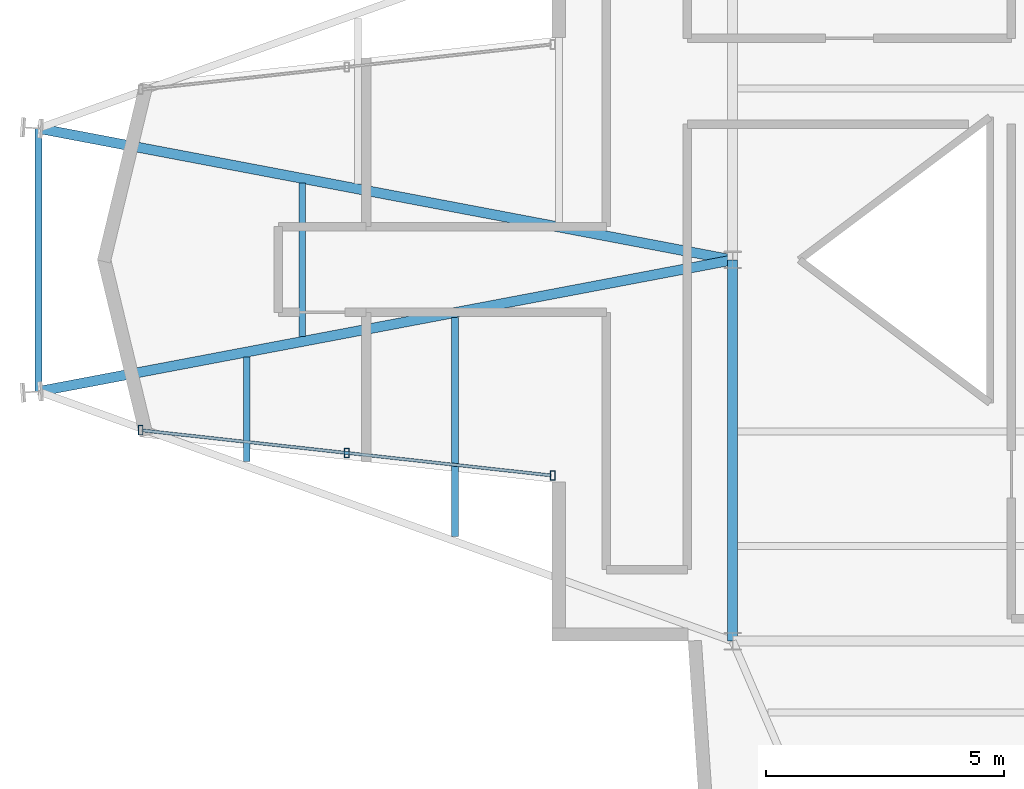
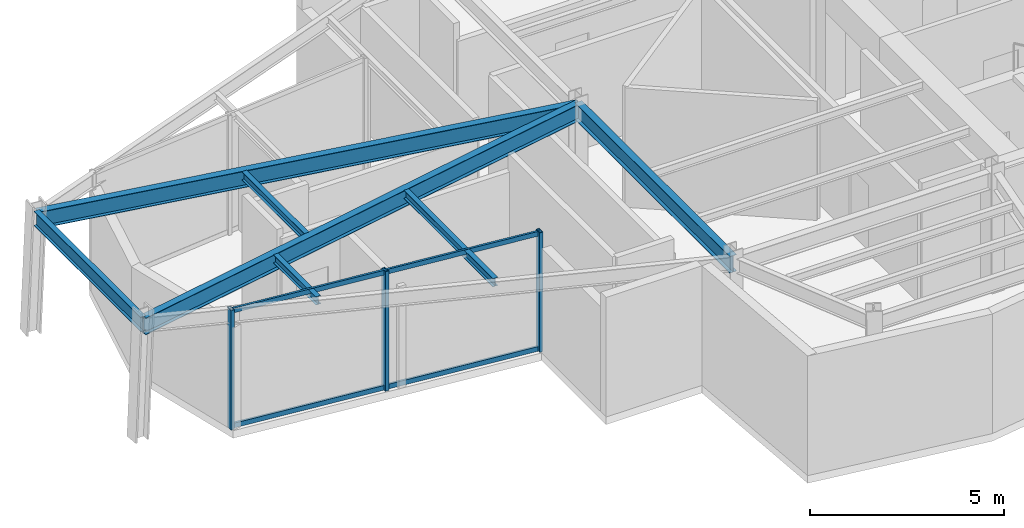
# One storey, part 2 of 11: 7 beams, 5 members, 1 element without a shape of its own.
"""IFC4 building model written with IfcOpenShell, lengths in metres."""

from ifc_helpers import new_model, si_unit, direction, frame, origin, origin_2d, place, context, subcontext, project, spatial, hollow_rectangle, i_section, extrude, material, layer, layer_set, material_profile, profile_set, type_object, element, aggregate, save


model = new_model("IFC4")

# Units and contexts
model_context = context("Model", 3, precision=1e-05, world=origin(), true_north=direction((0.0, 1.0)))
body_context = subcontext(model_context, "Body", "Model", "MODEL_VIEW")
ifc_project = project(units=[si_unit("LENGTHUNIT", "METRE"), si_unit("AREAUNIT", "SQUARE_METRE"), si_unit("VOLUMEUNIT", "CUBIC_METRE"), si_unit("PLANEANGLEUNIT", "RADIAN"), si_unit("MASSUNIT", "GRAM", prefix="KILO")], contexts=[model_context])

# Site, building, storey
site_placement = place(None, origin())
site = spatial("IfcSite", under=ifc_project, at=site_placement, CompositionType="ELEMENT")
building_placement = place(site_placement, origin())
building = spatial("IfcBuilding", under=site, at=building_placement, Name="Veymaron Broadcast Tower", CompositionType="ELEMENT")
storey_placement = place(building_placement, frame((0.0, 0.0, 323.550048828125)))
storey = spatial("IfcBuildingStorey", under=building, at=storey_placement, Name="L76", CompositionType="ELEMENT", Elevation=323.550048828125)

# Beams
ifc_material_1 = material(Name="Structural steel ASTM A992 Gr 50", Category="steel")
ifc_material_profile_1 = material_profile(ifc_material_1, i_section(OverallWidth=0.208984375, OverallDepth=0.528076171875, WebThickness=0.009521484375, FlangeThickness=0.01318359375, at=origin_2d()), Name="W530X82")
ifc_profile_set_1 = profile_set([ifc_material_profile_1], Name="Structural steel ASTM A992 Gr 50")
beam_type_1 = type_object("IfcBeamType", Name="BM-FG4", PredefinedType="BEAM", material=ifc_profile_set_1)
beam_1_placement = place(storey_placement, frame((31.199951171875, 16.0, 3.505859375), z_axis=(0.0, 1.0, 0.0), x_axis=(-1.0, 0.0, 0.0)))
element("IfcBeam", 1, at=beam_1_placement, inside=storey, type_object=beam_type_1, Name="L76 primary structural floor girder", PredefinedType="BEAM", context=body_context, shape_type="SweptSolid", body=[
    extrude(i_section(OverallWidth=0.208984375, OverallDepth=0.528076171875, WebThickness=0.009521484375, FlangeThickness=0.01318359375, at=origin_2d()), origin(), (0.0, 0.0, 1.0), 8.0),
])
for number, where, z_axis, x_axis, name in (
    (2, (16.632080078125, 21.239990234375, 3.505859375), (0.982521848136, 0.186147301712, 0.0), (-0.186147301712, 0.982521848136, 0.0), "L76 primary structural floor girder"),
    (3, (16.632080078125, 26.760009765625, 3.505859375), (0.982521848136, -0.186147301712, 0.0), (0.186147301712, 0.982521848136, 0.0), "L76 primary structural floor girder"),
):
    element("IfcBeam", number, at=place(storey_placement, frame(where, z_axis=z_axis, x_axis=x_axis)), inside=storey, type_object=beam_type_1, Name=name, PredefinedType="BEAM", context=body_context, shape_type="SweptSolid", body=[
        extrude(i_section(OverallWidth=0.208984375, OverallDepth=0.528076171875, WebThickness=0.009521484375, FlangeThickness=0.01318359375, at=origin_2d()), origin(), (0.0, 0.0, 1.0), 14.826904296875),
    ])
ifc_material_profile_2 = material_profile(ifc_material_1, i_section(OverallWidth=0.14599609375, OverallDepth=0.258056640625, WebThickness=0.006103515625, FlangeThickness=0.009033203125, at=origin_2d()), Name="W250X33")
ifc_profile_set_2 = profile_set([ifc_material_profile_2], Name="Structural steel ASTM A992 Gr 50")
beam_type_2 = type_object("IfcBeamType", Name="BM-JS4", PredefinedType="JOIST", material=ifc_profile_set_2)
beam_2_placement = place(storey_placement, frame((21.00244140625, 19.76806640625, 3.640869140625), z_axis=(0.0, 1.0, 0.0), x_axis=(-1.0, 0.0, 0.0)))
element("IfcBeam", 4, at=beam_2_placement, inside=storey, type_object=beam_type_2, Name="L76 Arm-A secondary joist 1S", PredefinedType="JOIST", context=body_context, shape_type="SweptSolid", body=[
    extrude(i_section(OverallWidth=0.14599609375, OverallDepth=0.258056640625, WebThickness=0.006103515625, FlangeThickness=0.009033203125, at=origin_2d()), origin(), (0.0, 0.0, 1.0), 2.199951171875),
])
beam_3_placement = place(storey_placement, frame((22.167724609375, 22.388916015625, 3.640869140625), z_axis=(0.0, 1.0, 0.0), x_axis=(-1.0, 0.0, 0.0)))
element("IfcBeam", 5, at=beam_3_placement, inside=storey, type_object=beam_type_2, Name="L76 Arm-A secondary joist 1M", PredefinedType="JOIST", context=body_context, shape_type="SweptSolid", body=[
    extrude(i_section(OverallWidth=0.14599609375, OverallDepth=0.258056640625, WebThickness=0.006103515625, FlangeThickness=0.009033203125, at=origin_2d()), origin(), (0.0, 0.0, 1.0), 3.22216796875),
])
beam_4_placement = place(storey_placement, frame((25.372802734375, 18.196044921875, 3.640869140625), z_axis=(0.0, 1.0, 0.0), x_axis=(-1.0, 0.0, 0.0)))
element("IfcBeam", 6, at=beam_4_placement, inside=storey, type_object=beam_type_2, Name="L76 Arm-A secondary joist 2S", PredefinedType="JOIST", context=body_context, shape_type="SweptSolid", body=[
    extrude(i_section(OverallWidth=0.14599609375, OverallDepth=0.258056640625, WebThickness=0.006103515625, FlangeThickness=0.009033203125, at=origin_2d()), origin(), (0.0, 0.0, 1.0), 4.599853515625),
])
ifc_material_profile_3 = material_profile(ifc_material_1, i_section(OverallWidth=0.154052734375, OverallDepth=0.458984375, WebThickness=0.009033203125, FlangeThickness=0.015380859375, at=origin_2d()), Name="W460X68")
ifc_profile_set_3 = profile_set([ifc_material_profile_3], Name="Structural steel ASTM A992 Gr 50")
beam_type_3 = type_object("IfcBeamType", Name="BM-SP2", PredefinedType="SPANDREL", material=ifc_profile_set_3)
beam_5_placement = place(storey_placement, frame((16.632080078125, 21.239990234375, 3.54052734375), z_axis=(0.0, 1.0, 0.0), x_axis=(-1.0, 0.0, 0.0)))
element("IfcBeam", 7, at=beam_5_placement, inside=storey, type_object=beam_type_3, Name="L76 primary structural floor girder", PredefinedType="SPANDREL", context=body_context, shape_type="SweptSolid", body=[
    extrude(i_section(OverallWidth=0.154052734375, OverallDepth=0.458984375, WebThickness=0.009033203125, FlangeThickness=0.015380859375, at=origin_2d()), origin(), (0.0, 0.0, 1.0), 5.52001953125),
])

# Curtain wall, members
ifc_material_2 = material(Name="Anodised aluminium AA 6063-T6 and laminated low-E dark glass", Category="aluminium")
ifc_layer = layer(ifc_material_2, 0.179931640625)
ifc_layer_set = layer_set([ifc_layer], Name="Anodised aluminium AA 6063-T6 and laminated low-E dark glass")
curtain_wall_type = type_object("IfcCurtainWallType", Name="CW-SYS-06", PredefinedType="NOTDEFINED", material=ifc_layer_set)
curtain_wall_placement = place(storey_placement, origin())
curtain_wall = element("IfcCurtainWall", 8, at=curtain_wall_placement, inside=storey, type_object=curtain_wall_type, Name="L76 dark-glass curtain wall CW-L76-E14-1", PredefinedType="NOTDEFINED")
ifc_material_3 = material(Name="Anodised aluminium AA 6063-T6", Category="aluminium")
ifc_material_profile_4 = material_profile(ifc_material_3, hollow_rectangle(XDim=0.10009765625, YDim=0.199951171875, WallThickness=0.010009765625, at=origin_2d()), Name="RHS200X100X10")
ifc_profile_set_4 = profile_set([ifc_material_profile_4], Name="Anodised aluminium AA 6063-T6")
member_type_1 = type_object("IfcMemberType", Name="CW-MUL-01", PredefinedType="MULLION", material=ifc_profile_set_4)
member_1_placement = place(storey_placement, frame((18.775390625, 20.4267578125, 0.0), z_axis=(0.0, 0.0, 1.0), x_axis=(1.0, 0.0, 0.0)))
member_1 = element("IfcMember", 9, at=member_1_placement, type_object=member_type_1, Name="CW-L76-E14-1 mullion 0", PredefinedType="MULLION", context=body_context, shape_type="SweptSolid", body=[
    extrude(hollow_rectangle(XDim=0.10009765625, YDim=0.199951171875, WallThickness=0.010009765625, at=origin_2d()), origin(), (0.0, 0.0, 1.0), 3.77001953125),
])
member_2_placement = place(storey_placement, frame((23.10009765625, 19.95068359375, 0.0), z_axis=(0.0, 0.0, 1.0), x_axis=(1.0, 0.0, 0.0)))
member_2 = element("IfcMember", 10, at=member_2_placement, type_object=member_type_1, Name="CW-L76-E14-1 mullion 1", PredefinedType="MULLION", context=body_context, shape_type="SweptSolid", body=[
    extrude(hollow_rectangle(XDim=0.10009765625, YDim=0.199951171875, WallThickness=0.010009765625, at=origin_2d()), origin(), (0.0, 0.0, 1.0), 3.77001953125),
])
member_3_placement = place(storey_placement, frame((27.4248046875, 19.474609375, 0.0), z_axis=(0.0, 0.0, 1.0), x_axis=(1.0, 0.0, 0.0)))
member_3 = element("IfcMember", 11, at=member_3_placement, type_object=member_type_1, Name="CW-L76-E14-1 mullion 2", PredefinedType="MULLION", context=body_context, shape_type="SweptSolid", body=[
    extrude(hollow_rectangle(XDim=0.10009765625, YDim=0.199951171875, WallThickness=0.010009765625, at=origin_2d()), origin(), (0.0, 0.0, 1.0), 3.77001953125),
])
ifc_material_profile_5 = material_profile(ifc_material_3, hollow_rectangle(XDim=0.06494140625, YDim=0.14990234375, WallThickness=0.00390625, at=origin_2d()), Name="AL150X65X4")
ifc_profile_set_5 = profile_set([ifc_material_profile_5], Name="Anodised aluminium AA 6063-T6")
member_type_2 = type_object("IfcMemberType", Name="CW-TRN-01", PredefinedType="USERDEFINED", material=ifc_profile_set_5)
member_4_placement = place(storey_placement, frame((18.824951171875, 20.421142578125, 0.070068359375), z_axis=(0.993996394773, -0.109412829132, 0.0), x_axis=(0.109412829132, 0.993996394773, 0.0)))
member_4 = element("IfcMember", 12, at=member_4_placement, type_object=member_type_2, Name="CW-L76-E14-1 transom B", ObjectType="TRANSOM", PredefinedType="USERDEFINED", context=body_context, shape_type="SweptSolid", body=[
    extrude(hollow_rectangle(XDim=0.06494140625, YDim=0.14990234375, WallThickness=0.00390625, at=origin_2d()), origin(), (0.0, 0.0, 1.0), 8.60205078125),
])
member_5_placement = place(storey_placement, frame((18.824951171875, 20.421142578125, 3.699951171875), z_axis=(0.993996394773, -0.109412829132, 0.0), x_axis=(0.109412829132, 0.993996394773, 0.0)))
member_5 = element("IfcMember", 13, at=member_5_placement, type_object=member_type_2, Name="CW-L76-E14-1 transom T", ObjectType="TRANSOM", PredefinedType="USERDEFINED", context=body_context, shape_type="SweptSolid", body=[
    extrude(hollow_rectangle(XDim=0.06494140625, YDim=0.14990234375, WallThickness=0.00390625, at=origin_2d()), origin(), (0.0, 0.0, 1.0), 8.60205078125),
])
aggregate(curtain_wall, [member_1, member_2, member_3, member_4, member_5])

save(model, "model.ifc")
